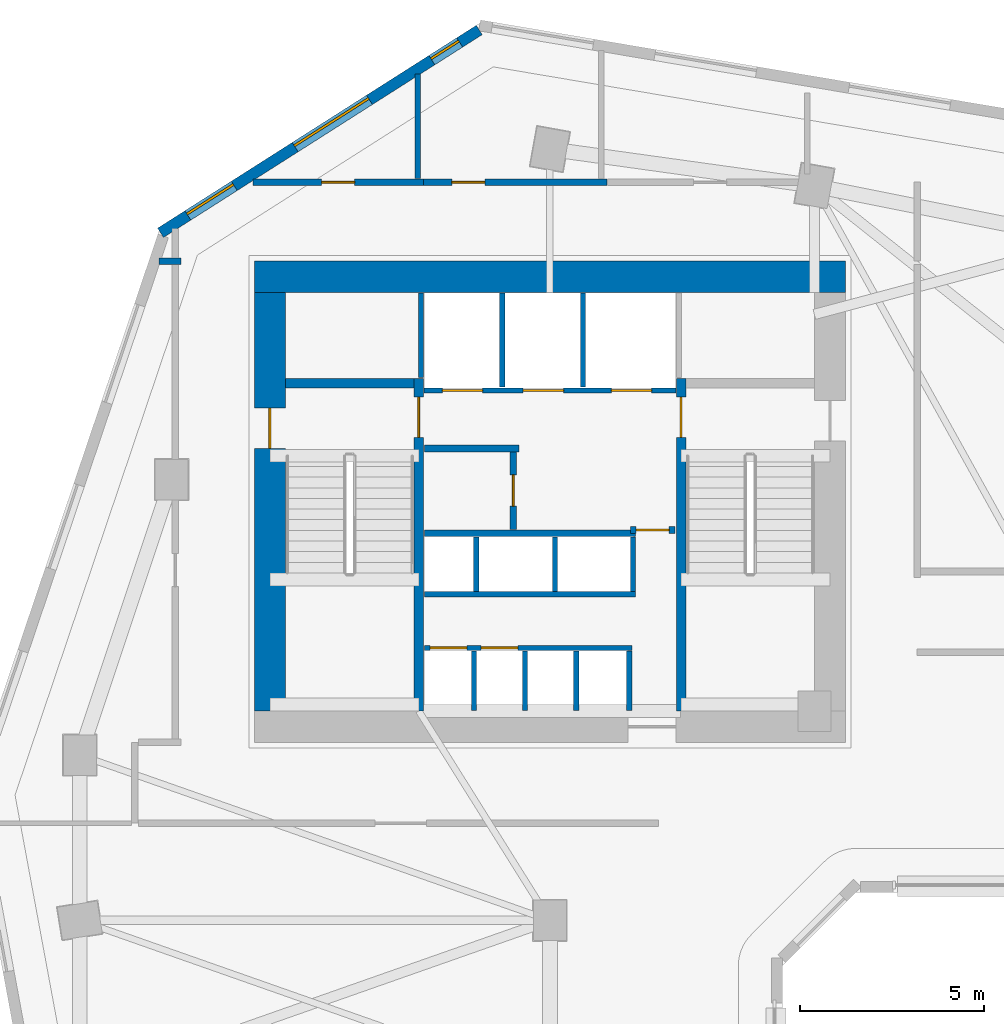
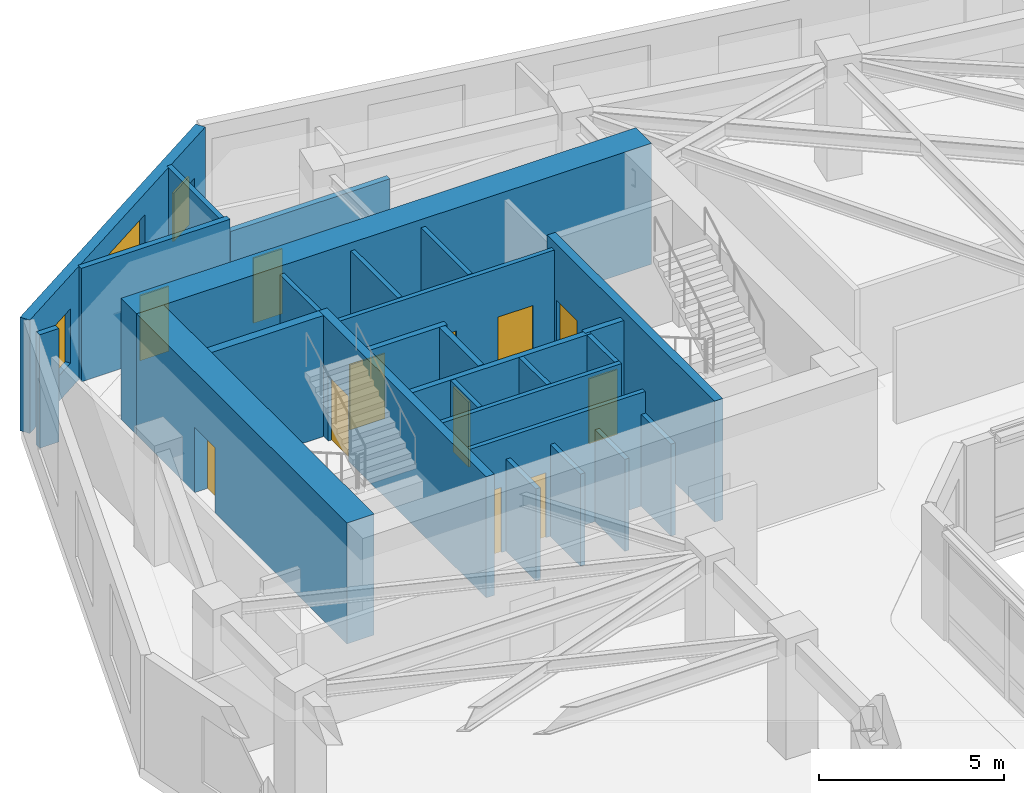
# One storey, part 6 of 11: 27 walls, 12 doors, 3 windows, 15 openings.
"""IFC4 building model written with IfcOpenShell, lengths in metres."""

from ifc_helpers import new_model, si_unit, direction, frame, frame_2d, origin, place, context, subcontext, project, spatial, rectangle, extrude, source, transform, mapped, material, layer, layer_set, type_object, element, fill, save


model = new_model("IFC4")

# Units and contexts
model_context = context("Model", 3, precision=1e-05, world=origin(), true_north=direction((0.0, 1.0)))
body_context = subcontext(model_context, "Body", "Model", "MODEL_VIEW")
ifc_project = project(units=[si_unit("LENGTHUNIT", "METRE"), si_unit("AREAUNIT", "SQUARE_METRE"), si_unit("VOLUMEUNIT", "CUBIC_METRE"), si_unit("PLANEANGLEUNIT", "RADIAN"), si_unit("MASSUNIT", "GRAM", prefix="KILO")], contexts=[model_context])

# Site, building, storey
site_placement = place(None, origin())
site = spatial("IfcSite", under=ifc_project, at=site_placement, CompositionType="ELEMENT")
building_placement = place(site_placement, origin())
building = spatial("IfcBuilding", under=site, at=building_placement, Name="Calvemar Wedge Station Tower", CompositionType="ELEMENT")
storey_placement = place(building_placement, frame((0.0, 0.0, 27.0)))
storey = spatial("IfcBuildingStorey", under=building, at=storey_placement, Name="L06", CompositionType="ELEMENT", Elevation=27.0)

# Wall, opening, door
ifc_material_1 = material(Name="Concrete C50", Category="concrete")
ifc_layer_1 = layer(ifc_material_1, 0.260009765625)
ifc_layer_set_1 = layer_set([ifc_layer_1], Name="Concrete C50")
wall_type_1 = type_object("IfcWallType", Name="SW-CORE-260", PredefinedType="SHEAR", material=ifc_layer_set_1)
wall_1_placement = place(storey_placement, frame((20.22998046875, 34.199951171875, 0.0), z_axis=(0.0, 0.0, 1.0), x_axis=(0.0, 1.0, 0.0)))
wall_1 = element("IfcWall", 1, at=wall_1_placement, inside=storey, type_object=wall_type_1, Name="Storey L06 Core Shear Wall SPINE-W", PredefinedType="SHEAR", context=body_context, shape_type="SweptSolid", body=[
    extrude(rectangle(XDim=9.06005859375, YDim=0.260009765625, at=frame_2d((4.530029296875, 0.0))), origin(), (0.0, 0.0, 1.0), 4.0),
])
shared_shape_1 = source(origin(), body_context, "Body", "SweptSolid", [
    extrude(rectangle(XDim=1.10009765625, YDim=2.14990234375, at=frame_2d((0.550048828125, 1.074951171875))), frame((0.0, 0.14013671875, 0.0), z_axis=(0.0, -1.0, 0.0), x_axis=(1.0, 0.0, 0.0)), (0.0, 0.0, 1.0), 0.280029296875),
])
opening_1_placement = place(wall_1_placement, frame((7.449951171875, 0.0, 0.0)))
opening_1 = element("IfcOpeningElement", 2, at=opening_1_placement, cuts=wall_1, Name="Opening FD-90", PredefinedType="OPENING", context=body_context, shape_type="MappedRepresentation", body=[
    mapped(shared_shape_1, transform((0.0, 0.0, 0.0), scale=1.0)),
])
ifc_material_2 = material(Name="Galvanized fire-rated steel door leaf P-90", Category="steel")
door_type_1 = type_object("IfcDoorType", Name="DR-FD90-1100", OperationType="NOTDEFINED", PredefinedType="DOOR", material=ifc_material_2)
shared_shape_2 = source(origin(), body_context, "Body", "SweptSolid", [
    extrude(rectangle(XDim=1.10009765625, YDim=2.14990234375, at=frame_2d((0.550048828125, 1.074951171875))), frame((0.0, 0.02490234375, 0.0), z_axis=(0.0, -1.0, 0.0), x_axis=(1.0, 0.0, 0.0)), (0.0, 0.0, 1.0), 0.050048828125),
])
door_1_placement = place(opening_1_placement, origin())
door_1 = element("IfcDoor", 3, at=door_1_placement, inside=storey, type_object=door_type_1, Name="L06 FF Lobby to Stair ST-C1 Door", OperationType="SINGLE_SWING_LEFT", OverallHeight=2.14990234375, OverallWidth=1.10009765625, PredefinedType="DOOR", context=body_context, shape_type="MappedRepresentation", body=[
    mapped(shared_shape_2, transform((0.0, 0.0, 0.0), scale=1.0)),
])
fill(opening_1, door_1)

wall_2_placement = place(storey_placement, frame((27.3701171875, 34.199951171875, 0.0), z_axis=(0.0, 0.0, 1.0), x_axis=(0.0, 1.0, 0.0)))
wall_2 = element("IfcWall", 4, at=wall_2_placement, inside=storey, type_object=wall_type_1, Name="Storey L06 Core Shear Wall SPINE-E", PredefinedType="SHEAR", context=body_context, shape_type="SweptSolid", body=[
    extrude(rectangle(XDim=9.06005859375, YDim=0.260009765625, at=frame_2d((4.530029296875, 0.0))), origin(), (0.0, 0.0, 1.0), 4.0),
])
opening_2_placement = place(wall_2_placement, frame((7.449951171875, 0.0, 0.0)))
opening_2 = element("IfcOpeningElement", 5, at=opening_2_placement, cuts=wall_2, Name="Opening FD-90", PredefinedType="OPENING", context=body_context, shape_type="MappedRepresentation", body=[
    mapped(shared_shape_1, transform((0.0, 0.0, 0.0), scale=1.0)),
])
door_2_placement = place(opening_2_placement, origin())
door_2 = element("IfcDoor", 6, at=door_2_placement, inside=storey, type_object=door_type_1, Name="L06 FF Lobby to Stair ST-C2 Door", OperationType="SINGLE_SWING_RIGHT", OverallHeight=2.14990234375, OverallWidth=1.10009765625, PredefinedType="DOOR", context=body_context, shape_type="MappedRepresentation", body=[
    mapped(shared_shape_2, transform((0.0, 0.0, 0.0), scale=1.0)),
])
fill(opening_2, door_2)

# Walls
wall_3_placement = place(storey_placement, frame((16.60009765625, 43.1298828125, 0.0), z_axis=(0.0, 0.0, 1.0), x_axis=(1.0, 0.0, 0.0)))
element("IfcWall", 7, at=wall_3_placement, inside=storey, type_object=wall_type_1, Name="Storey L06 Core Shear Wall STC1-N", PredefinedType="SHEAR", context=body_context, shape_type="SweptSolid", body=[
    extrude(rectangle(XDim=3.5, YDim=0.260009765625, at=frame_2d((1.75, 0.0))), origin(), (0.0, 0.0, 1.0), 4.0),
])
ifc_material_3 = material(Name="Concrete C80", Category="concrete")
ifc_layer_2 = layer(ifc_material_3, 0.85009765625)
ifc_layer_set_2 = layer_set([ifc_layer_2], Name="Concrete C80")
wall_type_2 = type_object("IfcWallType", Name="SW-CORE-850", PredefinedType="SHEAR", material=ifc_layer_set_2)
wall_4_placement = place(storey_placement, frame((15.75, 46.02490234375, 0.0), z_axis=(0.0, 0.0, 1.0), x_axis=(1.0, 0.0, 0.0)))
element("IfcWall", 8, at=wall_4_placement, inside=storey, type_object=wall_type_2, Name="Storey L06 Core Shear Wall N", PredefinedType="SHEAR", context=body_context, shape_type="SweptSolid", body=[
    extrude(rectangle(XDim=16.10009765625, YDim=0.85009765625, at=frame_2d((8.050048828125, 0.0))), origin(), (0.0, 0.0, 1.0), 4.0),
])

# Wall, opening, door
wall_5_placement = place(storey_placement, frame((16.175048828125, 34.199951171875, 0.0), z_axis=(0.0, 0.0, 1.0), x_axis=(0.0, 1.0, 0.0)))
wall_5 = element("IfcWall", 9, at=wall_5_placement, inside=storey, type_object=wall_type_2, Name="Storey L06 Core Shear Wall W", PredefinedType="SHEAR", context=body_context, shape_type="SweptSolid", body=[
    extrude(rectangle(XDim=11.400146484375, YDim=0.85009765625, at=frame_2d((5.7001953125, 0.0))), origin(), (0.0, 0.0, 1.0), 4.0),
])
shared_shape_3 = source(origin(), body_context, "Body", "SweptSolid", [
    extrude(rectangle(XDim=1.10009765625, YDim=2.14990234375, at=frame_2d((0.550048828125, 1.074951171875))), frame((0.0, 0.43505859375, 0.0), z_axis=(0.0, -1.0, 0.0), x_axis=(1.0, 0.0, 0.0)), (0.0, 0.0, 1.0), 0.8701171875),
])
opening_3_placement = place(wall_5_placement, frame((7.14990234375, 0.0, 0.0)))
opening_3 = element("IfcOpeningElement", 10, at=opening_3_placement, cuts=wall_5, Name="Opening FD-90", PredefinedType="OPENING", context=body_context, shape_type="MappedRepresentation", body=[
    mapped(shared_shape_3, transform((0.0, 0.0, 0.0), scale=1.0)),
])
door_3_placement = place(opening_3_placement, origin())
door_3 = element("IfcDoor", 11, at=door_3_placement, inside=storey, type_object=door_type_1, Name="L06 West Corridor to Exit Stair ST-C1 Door", OperationType="SINGLE_SWING_LEFT", OverallHeight=2.14990234375, OverallWidth=1.10009765625, PredefinedType="DOOR", context=body_context, shape_type="MappedRepresentation", body=[
    mapped(shared_shape_2, transform((0.0, 0.0, 0.0), scale=1.0)),
])
fill(opening_3, door_3)

# Wall
ifc_material_4 = material(Name="Double-stud fire-rated corridor partition")
ifc_layer_3 = layer(ifc_material_4, 0.179931640625)
ifc_layer_set_3 = layer_set([ifc_layer_3], Name="Double-stud fire-rated corridor partition")
wall_type_3 = type_object("IfcWallType", Name="W-CORR-180", PredefinedType="PARTITIONING", material=ifc_layer_set_3)
wall_6_placement = place(storey_placement, frame((22.9599609375, 41.35009765625, 0.0), z_axis=(0.0, 0.0, 1.0), x_axis=(-1.0, 0.0, 0.0)))
element("IfcWall", 12, at=wall_6_placement, inside=storey, type_object=wall_type_3, Name="Storey L06 Interior Partition WL-L06-001", PredefinedType="PARTITIONING", context=body_context, shape_type="SweptSolid", body=[
    extrude(rectangle(XDim=2.580078125, YDim=0.179931640625, at=frame_2d((1.2900390625, 0.0))), origin(), (0.0, 0.0, 1.0), 3.75),
])

# Wall, opening, door
wall_7_placement = place(storey_placement, frame((22.800048828125, 41.256103515625, 0.0), z_axis=(0.0, 0.0, 1.0), x_axis=(0.0, -1.0, 0.0)))
wall_7 = element("IfcWall", 13, at=wall_7_placement, inside=storey, type_object=wall_type_3, Name="Storey L06 Interior Partition WL-L06-002", PredefinedType="PARTITIONING", context=body_context, shape_type="SweptSolid", body=[
    extrude(rectangle(XDim=2.106201171875, YDim=0.179931640625, at=frame_2d((1.05322265625, 0.0))), origin(), (0.0, 0.0, 1.0), 3.75),
])
shared_shape_4 = source(origin(), body_context, "Body", "SweptSolid", [
    extrude(rectangle(XDim=0.85009765625, YDim=2.14990234375, at=frame_2d((0.425048828125, 1.074951171875))), frame((0.0, 0.10009765625, 0.0), z_axis=(0.0, -1.0, 0.0), x_axis=(1.0, 0.0, 0.0)), (0.0, 0.0, 1.0), 0.199951171875),
])
opening_4_placement = place(wall_7_placement, frame((0.6279296875, 0.0, 0.0)))
opening_4 = element("IfcOpeningElement", 14, at=opening_4_placement, cuts=wall_7, Name="Opening FD-60S", PredefinedType="OPENING", context=body_context, shape_type="MappedRepresentation", body=[
    mapped(shared_shape_4, transform((0.0, 0.0, 0.0), scale=1.0)),
])
ifc_material_5 = material(Name="Fire-rated steel and hardwood service door EI 60", Category="steel")
door_type_2 = type_object("IfcDoorType", Name="DR-CORE-FD60-850", OperationType="NOTDEFINED", PredefinedType="DOOR", material=ifc_material_5)
shared_shape_5 = source(origin(), body_context, "Body", "SweptSolid", [
    extrude(rectangle(XDim=0.85009765625, YDim=2.14990234375, at=frame_2d((0.425048828125, 1.074951171875))), frame((0.0, 0.02490234375, 0.0), z_axis=(0.0, -1.0, 0.0), x_axis=(1.0, 0.0, 0.0)), (0.0, 0.0, 1.0), 0.050048828125),
])
door_4_placement = place(opening_4_placement, origin())
door_4 = element("IfcDoor", 15, at=door_4_placement, inside=storey, type_object=door_type_2, Name="L06 Core Electrical Switch Room Door", OperationType="SINGLE_SWING_LEFT", OverallHeight=2.14990234375, OverallWidth=0.85009765625, PredefinedType="DOOR", context=body_context, shape_type="MappedRepresentation", body=[
    mapped(shared_shape_5, transform((0.0, 0.0, 0.0), scale=1.0)),
])
fill(opening_4, door_4)

wall_8_placement = place(storey_placement, frame((27.199951171875, 39.1298828125, 0.0), z_axis=(0.0, 0.0, 1.0), x_axis=(-1.0, 0.0, 0.0)))
wall_8 = element("IfcWall", 16, at=wall_8_placement, inside=storey, type_object=wall_type_3, Name="Storey L06 Interior Partition WL-L06-003", PredefinedType="PARTITIONING", context=body_context, shape_type="SweptSolid", body=[
    extrude(rectangle(XDim=1.2099609375, YDim=0.179931640625, at=frame_2d((0.60498046875, 0.0))), origin(), (0.0, 0.0, 1.0), 3.75),
])
shared_shape_6 = source(origin(), body_context, "Body", "SweptSolid", [
    extrude(rectangle(XDim=0.89990234375, YDim=2.14990234375, at=frame_2d((0.449951171875, 1.074951171875))), frame((0.0, 0.10009765625, 0.0), z_axis=(0.0, -1.0, 0.0), x_axis=(1.0, 0.0, 0.0)), (0.0, 0.0, 1.0), 0.199951171875),
])
opening_5_placement = place(wall_8_placement, frame((0.155029296875, 0.0, 0.0)))
opening_5 = element("IfcOpeningElement", 17, at=opening_5_placement, cuts=wall_8, Name="Opening FD-60", PredefinedType="OPENING", context=body_context, shape_type="MappedRepresentation", body=[
    mapped(shared_shape_6, transform((0.0, 0.0, 0.0), scale=1.0)),
])
ifc_material_6 = material(Name="Fire-rated acoustic timber-core entrance door EI 60", Category="wood")
door_type_3 = type_object("IfcDoorType", Name="DR-FD60-900", OperationType="NOTDEFINED", PredefinedType="DOOR", material=ifc_material_6)
shared_shape_7 = source(origin(), body_context, "Body", "SweptSolid", [
    extrude(rectangle(XDim=0.89990234375, YDim=2.14990234375, at=frame_2d((0.449951171875, 1.074951171875))), frame((0.0, 0.02490234375, 0.0), z_axis=(0.0, -1.0, 0.0), x_axis=(1.0, 0.0, 0.0)), (0.0, 0.0, 1.0), 0.050048828125),
])
door_5_placement = place(opening_5_placement, origin())
door_5 = element("IfcDoor", 18, at=door_5_placement, inside=storey, type_object=door_type_3, Name="L06 Core Service Lobby Door", OperationType="SINGLE_SWING_RIGHT", OverallHeight=2.14990234375, OverallWidth=0.89990234375, PredefinedType="DOOR", context=body_context, shape_type="MappedRepresentation", body=[
    mapped(shared_shape_7, transform((0.0, 0.0, 0.0), scale=1.0)),
])
fill(opening_5, door_5)

# Wall
wall_9_placement = place(storey_placement, frame((13.760009765625, 46.449951171875, 0.0), z_axis=(0.0, 0.0, 1.0), x_axis=(-1.0, 0.0, 0.0)))
element("IfcWall", 19, at=wall_9_placement, inside=storey, type_object=wall_type_3, Name="Storey L06 Interior Partition WL-L06-008", PredefinedType="PARTITIONING", context=body_context, shape_type="SweptSolid", body=[
    extrude(rectangle(XDim=0.60107421875, YDim=0.179931640625, at=frame_2d((0.300537109375, 0.0))), origin(), (0.0, 0.0, 1.0), 3.75),
])

# Wall, opening, door
wall_10_placement = place(storey_placement, frame((15.709716796875, 48.60009765625, 0.0), z_axis=(0.0, 0.0, 1.0), x_axis=(1.0, 0.0, 0.0)))
wall_10 = element("IfcWall", 20, at=wall_10_placement, inside=storey, type_object=wall_type_3, Name="Storey L06 Interior Partition WL-L06-009", PredefinedType="PARTITIONING", context=body_context, shape_type="SweptSolid", body=[
    extrude(rectangle(XDim=4.650390625, YDim=0.179931640625, at=frame_2d((2.3251953125, 0.0))), origin(), (0.0, 0.0, 1.0), 3.75),
])
opening_6_placement = place(wall_10_placement, frame((1.875, 0.0, 0.0)))
opening_6 = element("IfcOpeningElement", 21, at=opening_6_placement, cuts=wall_10, Name="Opening D-01", PredefinedType="OPENING", context=body_context, shape_type="MappedRepresentation", body=[
    mapped(shared_shape_6, transform((0.0, 0.0, 0.0), scale=1.0)),
])
ifc_material_7 = material(Name="Architectural hardwood acoustic swing door", Category="wood")
door_type_4 = type_object("IfcDoorType", Name="DR-INT-900", OperationType="NOTDEFINED", PredefinedType="DOOR", material=ifc_material_7)
shared_shape_8 = source(origin(), body_context, "Body", "SweptSolid", [
    extrude(rectangle(XDim=0.89990234375, YDim=2.14990234375, at=frame_2d((0.449951171875, 1.074951171875))), frame((0.0, 0.02490234375, 0.0), z_axis=(0.0, -1.0, 0.0), x_axis=(1.0, 0.0, 0.0)), (0.0, 0.0, 1.0), 0.050048828125),
])
door_6_placement = place(opening_6_placement, origin())
door_6 = element("IfcDoor", 22, at=door_6_placement, inside=storey, type_object=door_type_4, Name="L06 Male Toilet Door", OperationType="SINGLE_SWING_RIGHT", OverallHeight=2.14990234375, OverallWidth=0.89990234375, PredefinedType="DOOR", context=body_context, shape_type="MappedRepresentation", body=[
    mapped(shared_shape_8, transform((0.0, 0.0, 0.0), scale=1.0)),
])
fill(opening_6, door_6)

wall_11_placement = place(storey_placement, frame((20.362060546875, 48.60009765625, 0.0), z_axis=(0.0, 0.0, 1.0), x_axis=(1.0, 0.0, 0.0)))
wall_11 = element("IfcWall", 23, at=wall_11_placement, inside=storey, type_object=wall_type_3, Name="Storey L06 Interior Partition WL-L06-010", PredefinedType="PARTITIONING", context=body_context, shape_type="SweptSolid", body=[
    extrude(rectangle(XDim=4.998046875, YDim=0.179931640625, at=frame_2d((2.4990234375, 0.0))), origin(), (0.0, 0.0, 1.0), 3.3349609375),
])
opening_7_placement = place(wall_11_placement, frame((0.76806640625, 0.0, 0.0)))
opening_7 = element("IfcOpeningElement", 24, at=opening_7_placement, cuts=wall_11, Name="Opening D-01", PredefinedType="OPENING", context=body_context, shape_type="MappedRepresentation", body=[
    mapped(shared_shape_6, transform((0.0, 0.0, 0.0), scale=1.0)),
])
door_7_placement = place(opening_7_placement, origin())
door_7 = element("IfcDoor", 25, at=door_7_placement, inside=storey, type_object=door_type_4, Name="L06 Pantry Door", OperationType="SINGLE_SWING_LEFT", OverallHeight=2.14990234375, OverallWidth=0.89990234375, PredefinedType="DOOR", context=body_context, shape_type="MappedRepresentation", body=[
    mapped(shared_shape_8, transform((0.0, 0.0, 0.0), scale=1.0)),
])
fill(opening_7, door_7)

# Wall, openings, windows
ifc_material_8 = material(Name="Precast concrete C45", Category="concrete")
ifc_layer_4 = layer(ifc_material_8, 0.300048828125)
ifc_layer_set_4 = layer_set([ifc_layer_4], Name="Precast concrete C45")
wall_type_4 = type_object("IfcWallType", Name="W-EXT-GFRC-300", PredefinedType="SOLIDWALL", material=ifc_layer_set_4)
wall_12_placement = place(storey_placement, frame((21.875, 52.742919921875, 0.0), z_axis=(0.0, 0.0, 1.0), x_axis=(-0.843647802826, -0.536896996441, 0.0)))
wall_12 = element("IfcWall", 26, at=wall_12_placement, inside=storey, type_object=wall_type_4, Name="Storey L06 Bronze GFRC Exterior Wall 11", PredefinedType="SOLIDWALL", context=body_context, shape_type="SweptSolid", body=[
    extrude(rectangle(XDim=10.284423828125, YDim=0.300048828125, at=frame_2d((5.14208984375, 0.0))), origin(), (0.0, 0.0, 1.0), 3.75),
])
shared_shape_9 = source(origin(), body_context, "Body", "SweptSolid", [
    extrude(rectangle(XDim=0.89990234375, YDim=1.60009765625, at=frame_2d((0.449951171875, 0.800048828125))), frame((0.0, 0.16015625, 0.0), z_axis=(0.0, -1.0, 0.0), x_axis=(1.0, 0.0, 0.0)), (0.0, 0.0, 1.0), 0.320068359375),
])
opening_8_placement = place(wall_12_placement, frame((0.62890625, 0.0, 0.85009765625)))
opening_8 = element("IfcOpeningElement", 27, at=opening_8_placement, cuts=wall_12, Name="Opening W7", PredefinedType="OPENING", context=body_context, shape_type="MappedRepresentation", body=[
    mapped(shared_shape_9, transform((0.0, 0.0, 0.0), scale=1.0)),
])
shared_shape_10 = source(origin(), body_context, "Body", "SweptSolid", [
    extrude(rectangle(XDim=2.39990234375, YDim=2.199951171875, at=frame_2d((1.199951171875, 1.10009765625))), frame((0.0, 0.16015625, 0.0), z_axis=(0.0, -1.0, 0.0), x_axis=(1.0, 0.0, 0.0)), (0.0, 0.0, 1.0), 0.320068359375),
])
opening_9_placement = place(wall_12_placement, frame((3.5419921875, 0.0, 0.85009765625)))
opening_9 = element("IfcOpeningElement", 28, at=opening_9_placement, cuts=wall_12, Name="Opening W1", PredefinedType="OPENING", context=body_context, shape_type="MappedRepresentation", body=[
    mapped(shared_shape_10, transform((0.0, 0.0, 0.0), scale=1.0)),
])
shared_shape_11 = source(origin(), body_context, "Body", "SweptSolid", [
    extrude(rectangle(XDim=1.5, YDim=1.800048828125, at=frame_2d((0.75, 0.89990234375))), frame((0.0, 0.16015625, 0.0), z_axis=(0.0, -1.0, 0.0), x_axis=(1.0, 0.0, 0.0)), (0.0, 0.0, 1.0), 0.320068359375),
])
opening_10_placement = place(wall_12_placement, frame((7.904052734375, 0.0, 0.85009765625)))
opening_10 = element("IfcOpeningElement", 29, at=opening_10_placement, cuts=wall_12, Name="Opening W3", PredefinedType="OPENING", context=body_context, shape_type="MappedRepresentation", body=[
    mapped(shared_shape_11, transform((0.0, 0.0, 0.0), scale=1.0)),
])
ifc_material_9 = material(Name="Low-E laminated insulated glass", Category="glass")
window_type_1 = type_object("IfcWindowType", Name="WIN-EXT-1", PartitioningType="SINGLE_PANEL", PredefinedType="WINDOW", material=ifc_material_9)
shared_shape_12 = source(origin(), body_context, "Body", "SweptSolid", [
    extrude(rectangle(XDim=2.39990234375, YDim=2.199951171875, at=frame_2d((1.199951171875, 1.10009765625))), frame((0.0, -0.014892578125, 0.0), z_axis=(0.0, -1.0, 0.0), x_axis=(1.0, 0.0, 0.0)), (0.0, 0.0, 1.0), 0.06005859375),
])
window_1_placement = place(opening_9_placement, origin())
window_1 = element("IfcWindow", 30, at=window_1_placement, inside=storey, type_object=window_type_1, Name="Storey L06 Recessed Window 11.2", OverallHeight=2.199951171875, OverallWidth=2.39990234375, PartitioningType="SINGLE_PANEL", PredefinedType="WINDOW", context=body_context, shape_type="MappedRepresentation", body=[
    mapped(shared_shape_12, transform((0.0, 0.0, 0.0), scale=1.0)),
])
fill(opening_9, window_1)
window_type_2 = type_object("IfcWindowType", Name="WIN-EXT-3", PartitioningType="SINGLE_PANEL", PredefinedType="WINDOW", material=ifc_material_9)
shared_shape_13 = source(origin(), body_context, "Body", "SweptSolid", [
    extrude(rectangle(XDim=1.5, YDim=1.800048828125, at=frame_2d((0.75, 0.89990234375))), frame((0.0, -0.014892578125, 0.0), z_axis=(0.0, -1.0, 0.0), x_axis=(1.0, 0.0, 0.0)), (0.0, 0.0, 1.0), 0.06005859375),
])
window_2_placement = place(opening_10_placement, origin())
window_2 = element("IfcWindow", 31, at=window_2_placement, inside=storey, type_object=window_type_2, Name="Storey L06 Recessed Window 11.3", OverallHeight=1.800048828125, OverallWidth=1.5, PartitioningType="SINGLE_PANEL", PredefinedType="WINDOW", context=body_context, shape_type="MappedRepresentation", body=[
    mapped(shared_shape_13, transform((0.0, 0.0, 0.0), scale=1.0)),
])
fill(opening_10, window_2)
window_type_3 = type_object("IfcWindowType", Name="WIN-EXT-7", PartitioningType="SINGLE_PANEL", PredefinedType="WINDOW", material=ifc_material_9)
shared_shape_14 = source(origin(), body_context, "Body", "SweptSolid", [
    extrude(rectangle(XDim=0.89990234375, YDim=1.60009765625, at=frame_2d((0.449951171875, 0.800048828125))), frame((0.0, -0.014892578125, 0.0), z_axis=(0.0, -1.0, 0.0), x_axis=(1.0, 0.0, 0.0)), (0.0, 0.0, 1.0), 0.06005859375),
])
window_3_placement = place(opening_8_placement, origin())
window_3 = element("IfcWindow", 32, at=window_3_placement, inside=storey, type_object=window_type_3, Name="Storey L06 Recessed Window 11.1", OverallHeight=1.60009765625, OverallWidth=0.89990234375, PartitioningType="SINGLE_PANEL", PredefinedType="WINDOW", context=body_context, shape_type="MappedRepresentation", body=[
    mapped(shared_shape_14, transform((0.0, 0.0, 0.0), scale=1.0)),
])
fill(opening_8, window_3)

# Wall, openings, doors
ifc_material_10 = material(Name="Reinforced concrete blockwork lift shaft wall", Category="masonry")
ifc_layer_5 = layer(ifc_material_10, 0.139892578125)
ifc_layer_set_5 = layer_set([ifc_layer_5], Name="Reinforced concrete blockwork lift shaft wall")
wall_type_5 = type_object("IfcWallType", Name="W-LIFT-160", PredefinedType="SOLIDWALL", material=ifc_layer_set_5)
wall_13_placement = place(storey_placement, frame((20.3701171875, 42.929931640625, 0.0), z_axis=(0.0, 0.0, 1.0), x_axis=(1.0, 0.0, 0.0)))
wall_13 = element("IfcWall", 33, at=wall_13_placement, inside=storey, type_object=wall_type_5, Name="Storey L06 Firefighting and Service Lift Shaft Front Wall", PredefinedType="SOLIDWALL", context=body_context, shape_type="SweptSolid", body=[
    extrude(rectangle(XDim=6.85986328125, YDim=0.139892578125, at=frame_2d((3.429931640625, 0.0))), origin(), (0.0, 0.0, 1.0), 3.75),
])
shared_shape_15 = source(origin(), body_context, "Body", "SweptSolid", [
    extrude(rectangle(XDim=1.10009765625, YDim=2.14990234375, at=frame_2d((0.550048828125, 1.074951171875))), frame((0.0, 0.080078125, 0.0), z_axis=(0.0, -1.0, 0.0), x_axis=(1.0, 0.0, 0.0)), (0.0, 0.0, 1.0), 0.159912109375),
])
opening_11_placement = place(wall_13_placement, frame((0.5, 0.0, 0.0)))
opening_11 = element("IfcOpeningElement", 34, at=opening_11_placement, cuts=wall_13, Name="Opening LD-FF", PredefinedType="OPENING", context=body_context, shape_type="MappedRepresentation", body=[
    mapped(shared_shape_15, transform((0.0, 0.0, 0.0), scale=1.0)),
])
opening_12_placement = place(wall_13_placement, frame((2.699951171875, 0.0, 0.0)))
opening_12 = element("IfcOpeningElement", 35, at=opening_12_placement, cuts=wall_13, Name="Opening LD-FF", PredefinedType="OPENING", context=body_context, shape_type="MappedRepresentation", body=[
    mapped(shared_shape_15, transform((0.0, 0.0, 0.0), scale=1.0)),
])
opening_13_placement = place(wall_13_placement, frame((5.10009765625, 0.0, 0.0)))
opening_13 = element("IfcOpeningElement", 36, at=opening_13_placement, cuts=wall_13, Name="Opening LD-STN", PredefinedType="OPENING", context=body_context, shape_type="MappedRepresentation", body=[
    mapped(shared_shape_15, transform((0.0, 0.0, 0.0), scale=1.0)),
])
ifc_material_11 = material(Name="Stainless steel firefighting lift sliding landing door", Category="steel")
door_type_5 = type_object("IfcDoorType", Name="DR-LD-FF-1100", OperationType="SLIDING_TO_LEFT", PredefinedType="DOOR", material=ifc_material_11)
shared_shape_16 = source(origin(), body_context, "Body", "SweptSolid", [
    extrude(rectangle(XDim=1.10009765625, YDim=2.14990234375, at=frame_2d((0.550048828125, 1.074951171875))), frame((0.0, 0.02490234375, 0.0), z_axis=(0.0, -1.0, 0.0), x_axis=(1.0, 0.0, 0.0)), (0.0, 0.0, 1.0), 0.050048828125),
])
door_8_placement = place(opening_11_placement, origin())
door_8 = element("IfcDoor", 37, at=door_8_placement, inside=storey, type_object=door_type_5, Name="L06 Lift FF-01 Sliding Landing Door", OperationType="SLIDING_TO_LEFT", OverallHeight=2.14990234375, OverallWidth=1.10009765625, PredefinedType="DOOR", context=body_context, shape_type="MappedRepresentation", body=[
    mapped(shared_shape_16, transform((0.0, 0.0, 0.0), scale=1.0)),
])
fill(opening_11, door_8)
door_9_placement = place(opening_12_placement, origin())
door_9 = element("IfcDoor", 38, at=door_9_placement, inside=storey, type_object=door_type_5, Name="L06 Lift FF-02 Sliding Landing Door", OperationType="SLIDING_TO_RIGHT", OverallHeight=2.14990234375, OverallWidth=1.10009765625, PredefinedType="DOOR", context=body_context, shape_type="MappedRepresentation", body=[
    mapped(shared_shape_16, transform((0.0, 0.0, 0.0), scale=1.0)),
])
fill(opening_12, door_9)
ifc_material_12 = material(Name="Stainless steel transit lift sliding landing door", Category="steel")
door_type_6 = type_object("IfcDoorType", Name="DR-LD-PAX-1100", OperationType="SLIDING_TO_LEFT", PredefinedType="DOOR", material=ifc_material_12)
shared_shape_17 = source(origin(), body_context, "Body", "SweptSolid", [
    extrude(rectangle(XDim=1.10009765625, YDim=2.14990234375, at=frame_2d((0.550048828125, 1.074951171875))), frame((0.0, 0.02490234375, 0.0), z_axis=(0.0, -1.0, 0.0), x_axis=(1.0, 0.0, 0.0)), (0.0, 0.0, 1.0), 0.050048828125),
])
door_10_placement = place(opening_13_placement, origin())
door_10 = element("IfcDoor", 39, at=door_10_placement, inside=storey, type_object=door_type_6, Name="L06 Lift SV-01 Sliding Landing Door", OperationType="SLIDING_TO_LEFT", OverallHeight=2.14990234375, OverallWidth=1.10009765625, PredefinedType="DOOR", context=body_context, shape_type="MappedRepresentation", body=[
    mapped(shared_shape_17, transform((0.0, 0.0, 0.0), scale=1.0)),
])
fill(opening_13, door_10)

# Walls
wall_14_placement = place(storey_placement, frame((20.2900390625, 43.280029296875, 0.0), z_axis=(0.0, 0.0, 1.0), x_axis=(0.0, 1.0, 0.0)))
element("IfcWall", 40, at=wall_14_placement, inside=storey, type_object=wall_type_5, Name="Storey L06 Firefighting Lift Shaft Enclosure Wall W", PredefinedType="SOLIDWALL", context=body_context, shape_type="SweptSolid", body=[
    extrude(rectangle(XDim=2.300048828125, YDim=0.139892578125, at=frame_2d((1.14990234375, 0.0))), origin(), (0.0, 0.0, 1.0), 3.75),
])
for number, where, z_axis, x_axis, name in (
    (41, (22.5, 43.02001953125, 0.0), (0.0, 0.0, 1.0), (0.0, 1.0, 0.0), "Storey L06 Firefighting Lift Shaft Enclosure Wall D1"),
    (42, (24.699951171875, 43.02001953125, 0.0), (0.0, 0.0, 1.0), (0.0, 1.0, 0.0), "Storey L06 Firefighting Lift Shaft Enclosure Wall D2"),
):
    element("IfcWall", number, at=place(storey_placement, frame(where, z_axis=z_axis, x_axis=x_axis)), inside=storey, type_object=wall_type_5, Name=name, PredefinedType="SOLIDWALL", context=body_context, shape_type="SweptSolid", body=[
        extrude(rectangle(XDim=2.56005859375, YDim=0.139892578125, at=frame_2d((1.280029296875, 0.0))), origin(), (0.0, 0.0, 1.0), 3.75),
    ])

# Wall, openings, doors
wall_15_placement = place(storey_placement, frame((20.3798828125, 35.919921875, 0.0), z_axis=(0.0, 0.0, 1.0), x_axis=(1.0, 0.0, 0.0)))
wall_15 = element("IfcWall", 43, at=wall_15_placement, inside=storey, type_object=wall_type_5, Name="Storey L06 South Passenger Lift Bank Front Wall", PredefinedType="SOLIDWALL", context=body_context, shape_type="SweptSolid", body=[
    extrude(rectangle(XDim=5.650146484375, YDim=0.139892578125, at=frame_2d((2.8251953125, 0.0))), origin(), (0.0, 0.0, 1.0), 3.75),
])
shared_shape_18 = source(origin(), body_context, "Body", "SweptSolid", [
    extrude(rectangle(XDim=1.0, YDim=2.14990234375, at=frame_2d((0.5, 1.074951171875))), frame((0.0, 0.080078125, 0.0), z_axis=(0.0, -1.0, 0.0), x_axis=(1.0, 0.0, 0.0)), (0.0, 0.0, 1.0), 0.159912109375),
])
opening_14_placement = place(wall_15_placement, frame((0.159912109375, 0.0, 0.0)))
opening_14 = element("IfcOpeningElement", 44, at=opening_14_placement, cuts=wall_15, Name="Opening LD-PAX", PredefinedType="OPENING", context=body_context, shape_type="MappedRepresentation", body=[
    mapped(shared_shape_18, transform((0.0, 0.0, 0.0), scale=1.0)),
])
opening_15_placement = place(wall_15_placement, frame((1.550048828125, 0.0, 0.0)))
opening_15 = element("IfcOpeningElement", 45, at=opening_15_placement, cuts=wall_15, Name="Opening LD-PAX", PredefinedType="OPENING", context=body_context, shape_type="MappedRepresentation", body=[
    mapped(shared_shape_18, transform((0.0, 0.0, 0.0), scale=1.0)),
])
ifc_material_13 = material(Name="Anodised bronze passenger lift sliding landing door")
door_type_7 = type_object("IfcDoorType", Name="DR-LD-PAX-1000", OperationType="SLIDING_TO_LEFT", PredefinedType="DOOR", material=ifc_material_13)
shared_shape_19 = source(origin(), body_context, "Body", "SweptSolid", [
    extrude(rectangle(XDim=1.0, YDim=2.14990234375, at=frame_2d((0.5, 1.074951171875))), frame((0.0, 0.02490234375, 0.0), z_axis=(0.0, -1.0, 0.0), x_axis=(1.0, 0.0, 0.0)), (0.0, 0.0, 1.0), 0.050048828125),
])
door_11_placement = place(opening_14_placement, origin())
door_11 = element("IfcDoor", 46, at=door_11_placement, inside=storey, type_object=door_type_7, Name="L06 Lift OL-01 Sliding Landing Door", OperationType="SLIDING_TO_LEFT", OverallHeight=2.14990234375, OverallWidth=1.0, PredefinedType="DOOR", context=body_context, shape_type="MappedRepresentation", body=[
    mapped(shared_shape_19, transform((0.0, 0.0, 0.0), scale=1.0)),
])
fill(opening_14, door_11)
door_12_placement = place(opening_15_placement, origin())
door_12 = element("IfcDoor", 47, at=door_12_placement, inside=storey, type_object=door_type_7, Name="L06 Lift OL-02 Sliding Landing Door", OperationType="SLIDING_TO_RIGHT", OverallHeight=2.14990234375, OverallWidth=1.0, PredefinedType="DOOR", context=body_context, shape_type="MappedRepresentation", body=[
    mapped(shared_shape_19, transform((0.0, 0.0, 0.0), scale=1.0)),
])
fill(opening_15, door_12)

# Walls
for number, where, z_axis, x_axis, name in (
    (48, (25.9599609375, 34.219970703125, 0.0), (0.0, 0.0, 1.0), (0.0, 1.0, 0.0), "Storey L06 South Passenger Lift Shaft Wall E"),
    (49, (21.735107421875, 34.219970703125, 0.0), (0.0, 0.0, 1.0), (0.0, 1.0, 0.0), "Storey L06 South Passenger Lift Shaft Wall D1"),
    (50, (23.125, 34.219970703125, 0.0), (0.0, 0.0, 1.0), (0.0, 1.0, 0.0), "Storey L06 South Passenger Lift Shaft Wall D2"),
    (51, (24.514892578125, 34.219970703125, 0.0), (0.0, 0.0, 1.0), (0.0, 1.0, 0.0), "Storey L06 South Passenger Lift Shaft Wall D3"),
):
    element("IfcWall", number, at=place(storey_placement, frame(where, z_axis=z_axis, x_axis=x_axis)), inside=storey, type_object=wall_type_5, Name=name, PredefinedType="SOLIDWALL", context=body_context, shape_type="SweptSolid", body=[
        extrude(rectangle(XDim=1.6201171875, YDim=0.139892578125, at=frame_2d((0.81005859375, 0.0))), origin(), (0.0, 0.0, 1.0), 3.0419921875),
    ])
wall_16_placement = place(storey_placement, frame((20.3798828125, 37.3798828125, 0.0), z_axis=(0.0, 0.0, 1.0), x_axis=(1.0, 0.0, 0.0)))
element("IfcWall", 52, at=wall_16_placement, inside=storey, type_object=wall_type_5, Name="Storey L06 Upper Passenger Lift Bank Front Wall", PredefinedType="SOLIDWALL", context=body_context, shape_type="SweptSolid", body=[
    extrude(rectangle(XDim=5.75, YDim=0.139892578125, at=frame_2d((2.875, 0.0))), origin(), (0.0, 0.0, 1.0), 3.75),
])
for number, where, z_axis, x_axis, name in (
    (53, (26.06005859375, 37.4599609375, 0.0), (0.0, 0.0, 1.0), (0.0, 1.0, 0.0), "Storey L06 Upper Passenger Lift Shaft Wall E"),
    (54, (21.794921875, 37.4599609375, 0.0), (0.0, 0.0, 1.0), (0.0, 1.0, 0.0), "Storey L06 Upper Passenger Lift Shaft Wall D1"),
    (55, (23.93505859375, 37.4599609375, 0.0), (0.0, 0.0, 1.0), (0.0, 1.0, 0.0), "Storey L06 Upper Passenger Lift Shaft Wall D2"),
):
    element("IfcWall", number, at=place(storey_placement, frame(where, z_axis=z_axis, x_axis=x_axis)), inside=storey, type_object=wall_type_5, Name=name, PredefinedType="SOLIDWALL", context=body_context, shape_type="SweptSolid", body=[
        extrude(rectangle(XDim=1.47998046875, YDim=0.139892578125, at=frame_2d((0.739990234375, 0.0))), origin(), (0.0, 0.0, 1.0), 3.75),
    ])
ifc_material_14 = material(Name="Concrete blockwork and fireboard shaft wall", Category="masonry")
ifc_layer_6 = layer(ifc_material_14, 0.199951171875)
ifc_layer_set_6 = layer_set([ifc_layer_6], Name="Concrete blockwork and fireboard shaft wall")
wall_type_6 = type_object("IfcWallType", Name="W-SHAFT-200", PredefinedType="SOLIDWALL", material=ifc_layer_set_6)
wall_17_placement = place(storey_placement, frame((20.3798828125, 39.0400390625, 0.0), z_axis=(0.0, 0.0, 1.0), x_axis=(1.0, 0.0, 0.0)))
element("IfcWall", 56, at=wall_17_placement, inside=storey, type_object=wall_type_6, Name="Storey L06 Upper Passenger Lift Bank Rear Shaft Wall", PredefinedType="SOLIDWALL", context=body_context, shape_type="SweptSolid", body=[
    extrude(rectangle(XDim=5.75, YDim=0.179931640625, at=frame_2d((2.875, 0.0))), origin(), (0.0, 0.0, 1.0), 3.75),
])
ifc_material_15 = material(Name="Moisture-resistant acoustic bathroom partition")
ifc_layer_7 = layer(ifc_material_15, 0.14990234375)
ifc_layer_set_7 = layer_set([ifc_layer_7], Name="Moisture-resistant acoustic bathroom partition")
wall_type_7 = type_object("IfcWallType", Name="W-WET-150", PredefinedType="PARTITIONING", material=ifc_layer_set_7)
wall_18_placement = place(storey_placement, frame((20.199951171875, 51.540283203125, 0.0), z_axis=(0.0, 0.0, 1.0), x_axis=(0.0, -1.0, 0.0)))
element("IfcWall", 57, at=wall_18_placement, inside=storey, type_object=wall_type_7, Name="Storey L06 Interior Partition WL-L06-015", PredefinedType="PARTITIONING", context=body_context, shape_type="SweptSolid", body=[
    extrude(rectangle(XDim=2.84619140625, YDim=0.14990234375, at=frame_2d((1.423095703125, 0.0))), origin(), (0.0, 0.0, 1.0), 3.75),
])

save(model, "model.ifc")
